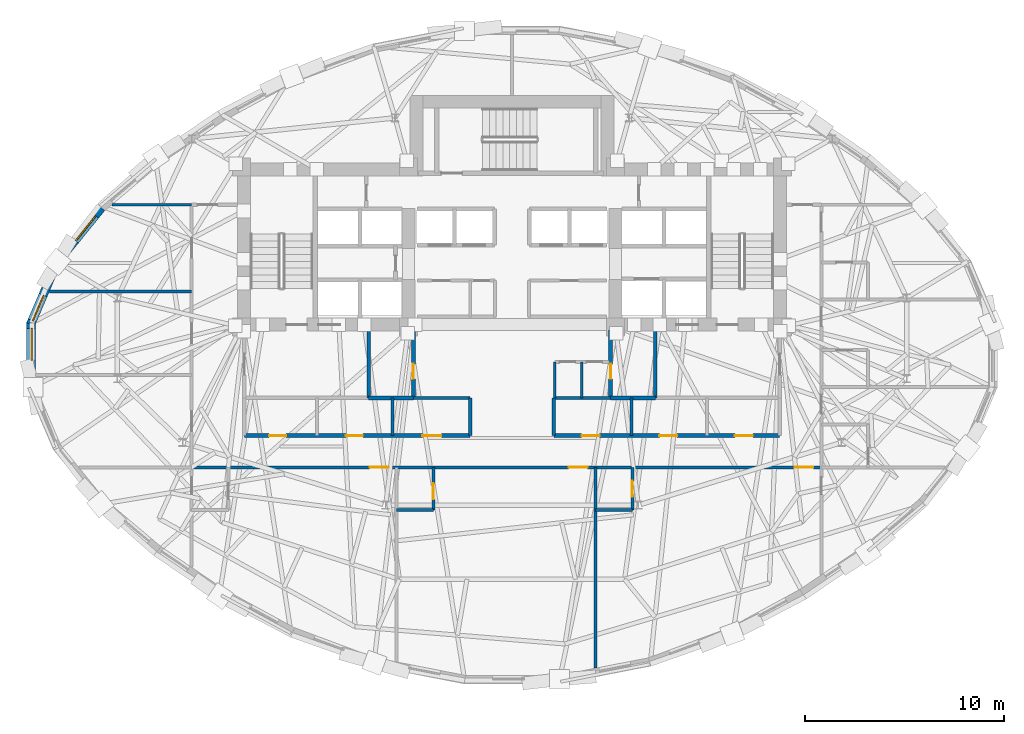
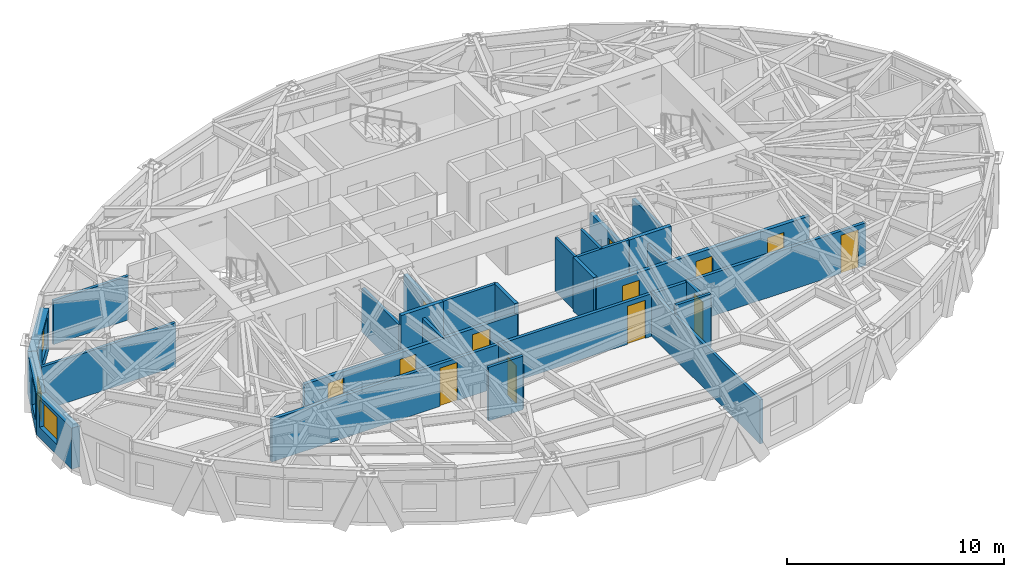
# One storey, part 6 of 14: 27 walls, 13 doors, 3 windows, 16 openings.
"""IFC4 building model written with IfcOpenShell, lengths in metres."""

from ifc_helpers import new_model, si_unit, direction, frame, frame_2d, origin, place, context, subcontext, project, spatial, rectangle, extrude, material, layer, layer_set, type_object, element, fill, save


model = new_model("IFC4")

# Units and contexts
model_context = context("Model", 3, precision=1e-05, world=origin(), true_north=direction((0.0, 1.0)))
body_context = subcontext(model_context, "Body", "Model", "MODEL_VIEW")
ifc_project = project(units=[si_unit("LENGTHUNIT", "METRE"), si_unit("AREAUNIT", "SQUARE_METRE"), si_unit("VOLUMEUNIT", "CUBIC_METRE"), si_unit("PLANEANGLEUNIT", "RADIAN"), si_unit("MASSUNIT", "GRAM", prefix="KILO")], contexts=[model_context])

# Site, building, storey
site_placement = place(None, origin())
site = spatial("IfcSite", under=ifc_project, at=site_placement, CompositionType="ELEMENT")
building_placement = place(site_placement, origin())
building = spatial("IfcBuilding", under=site, at=building_placement, Name="Keldmark Tower", CompositionType="ELEMENT")
storey_placement = place(building_placement, frame((0.0, 0.0, 191.800048828125)))
storey = spatial("IfcBuildingStorey", under=building, at=storey_placement, Name="L53", CompositionType="ELEMENT", Elevation=191.800048828125)

# Wall, openings, doors
ifc_material_1 = material(Name="Heavy Acoustic Plumbing Chase Gypsum Assembly", Category="gypsum")
ifc_layer_1 = layer(ifc_material_1, 0.18994140625)
ifc_layer_set_1 = layer_set([ifc_layer_1], Name="Heavy Acoustic Plumbing Chase Gypsum Assembly")
wall_type_1 = type_object("IfcWallType", Name="Heavy Wet Wall 190 mm", PredefinedType="PLUMBINGWALL", material=ifc_layer_set_1)
wall_1_placement = place(storey_placement, frame((-13.449951171875, -4.050048828125, 0.0), z_axis=(0.0, 0.0, 1.0), x_axis=(1.0, 0.0, 0.0)))
wall_1 = element("IfcWall", 1, at=wall_1_placement, inside=storey, type_object=wall_type_1, Name="L53 Heavy Wet Wall 190 mm SPK-W-S", PredefinedType="PLUMBINGWALL", context=body_context, shape_type="SweptSolid", body=[
    extrude(rectangle(XDim=11.349853515625, YDim=0.18994140625, at=frame_2d((5.6748046875, 0.0))), origin(), (0.0, 0.0, 1.0), 2.472900390625),
])
opening_1_placement = place(wall_1_placement, frame((1.25, 0.0, 0.0)))
opening_1 = element("IfcOpeningElement", 2, at=opening_1_placement, cuts=wall_1, Name="Opening D-WC085", PredefinedType="OPENING", context=body_context, shape_type="SweptSolid", body=[
    extrude(rectangle(XDim=0.85009765625, YDim=2.10009765625, at=frame_2d((0.425048828125, 1.050048828125))), frame((0.0, 0.10498046875, 0.0), z_axis=(0.0, -1.0, 0.0), x_axis=(1.0, 0.0, 0.0)), (0.0, 0.0, 1.0), 0.2099609375),
])
opening_2_placement = place(wall_1_placement, frame((5.10009765625, 0.0, 0.0)))
opening_2 = element("IfcOpeningElement", 3, at=opening_2_placement, cuts=wall_1, Name="Opening D-WC085", PredefinedType="OPENING", context=body_context, shape_type="SweptSolid", body=[
    extrude(rectangle(XDim=0.85009765625, YDim=2.10009765625, at=frame_2d((0.425048828125, 1.050048828125))), frame((0.0, 0.10498046875, 0.0), z_axis=(0.0, -1.0, 0.0), x_axis=(1.0, 0.0, 0.0)), (0.0, 0.0, 1.0), 0.2099609375),
])
opening_3_placement = place(wall_1_placement, frame((8.949951171875, 0.0, 0.0)))
opening_3 = element("IfcOpeningElement", 4, at=opening_3_placement, cuts=wall_1, Name="Opening D-AWC95", PredefinedType="OPENING", context=body_context, shape_type="SweptSolid", body=[
    extrude(rectangle(XDim=0.949951171875, YDim=2.14990234375, at=frame_2d((0.47509765625, 1.074951171875))), frame((0.0, 0.10498046875, 0.0), z_axis=(0.0, -1.0, 0.0), x_axis=(1.0, 0.0, 0.0)), (0.0, 0.0, 1.0), 0.2099609375),
])
ifc_material_2 = material(Name="Painted Solid-Core Architectural Wood", Category="wood")
door_type_1 = type_object("IfcDoorType", Name="Accessible WC Door 950x2150", OperationType="NOTDEFINED", PredefinedType="DOOR", material=ifc_material_2)
door_1_placement = place(opening_3_placement, origin())
door_1 = element("IfcDoor", 5, at=door_1_placement, inside=storey, type_object=door_type_1, Name="L53 Accessible WC Door 950x2150 D-SPKW3-L53", OperationType="SINGLE_SWING_LEFT", OverallHeight=2.14990234375, OverallWidth=0.949951171875, PredefinedType="DOOR", context=body_context, shape_type="SweptSolid", body=[
    extrude(rectangle(XDim=0.949951171875, YDim=2.14990234375, at=frame_2d((0.47509765625, 1.074951171875))), frame((0.0, 0.02490234375, 0.0), z_axis=(0.0, -1.0, 0.0), x_axis=(1.0, 0.0, 0.0)), (0.0, 0.0, 1.0), 0.050048828125),
])
fill(opening_3, door_1)
ifc_material_3 = material(Name="Moisture-Sealed Painted Wood", Category="wood")
door_type_2 = type_object("IfcDoorType", Name="WC Door 850x2100", OperationType="NOTDEFINED", PredefinedType="DOOR", material=ifc_material_3)
door_2_placement = place(opening_1_placement, origin())
door_2 = element("IfcDoor", 6, at=door_2_placement, inside=storey, type_object=door_type_2, Name="L53 WC Door 850x2100 D-SPKW1-L53", OperationType="SINGLE_SWING_LEFT", OverallHeight=2.10009765625, OverallWidth=0.85009765625, PredefinedType="DOOR", context=body_context, shape_type="SweptSolid", body=[
    extrude(rectangle(XDim=0.85009765625, YDim=2.10009765625, at=frame_2d((0.425048828125, 1.050048828125))), frame((0.0, 0.02490234375, 0.0), z_axis=(0.0, -1.0, 0.0), x_axis=(1.0, 0.0, 0.0)), (0.0, 0.0, 1.0), 0.050048828125),
])
fill(opening_1, door_2)
door_3_placement = place(opening_2_placement, origin())
door_3 = element("IfcDoor", 7, at=door_3_placement, inside=storey, type_object=door_type_2, Name="L53 WC Door 850x2100 D-SPKW2-L53", OperationType="SINGLE_SWING_RIGHT", OverallHeight=2.10009765625, OverallWidth=0.85009765625, PredefinedType="DOOR", context=body_context, shape_type="SweptSolid", body=[
    extrude(rectangle(XDim=0.85009765625, YDim=2.10009765625, at=frame_2d((0.425048828125, 1.050048828125))), frame((0.0, 0.02490234375, 0.0), z_axis=(0.0, -1.0, 0.0), x_axis=(1.0, 0.0, 0.0)), (0.0, 0.0, 1.0), 0.050048828125),
])
fill(opening_2, door_3)

# Wall
wall_2_placement = place(storey_placement, frame((-2.10009765625, -4.050048828125, 0.0), z_axis=(0.0, 0.0, 1.0), x_axis=(0.0, 1.0, 0.0)))
element("IfcWall", 8, at=wall_2_placement, inside=storey, type_object=wall_type_1, Name="L53 Heavy Wet Wall 190 mm SPK-W-E", PredefinedType="PLUMBINGWALL", context=body_context, shape_type="SweptSolid", body=[
    extrude(rectangle(XDim=1.900146484375, YDim=0.18994140625, at=frame_2d((0.9501953125, 0.0))), origin(), (0.0, 0.0, 1.0), 3.02001953125),
])

# Wall, openings, doors
wall_3_placement = place(storey_placement, frame((2.10009765625, -4.050048828125, 0.0), z_axis=(0.0, 0.0, 1.0), x_axis=(1.0, 0.0, 0.0)))
wall_3 = element("IfcWall", 9, at=wall_3_placement, inside=storey, type_object=wall_type_1, Name="L53 Heavy Wet Wall 190 mm SPK-E-S", PredefinedType="PLUMBINGWALL", context=body_context, shape_type="SweptSolid", body=[
    extrude(rectangle(XDim=11.349853515625, YDim=0.18994140625, at=frame_2d((5.6748046875, 0.0))), origin(), (0.0, 0.0, 1.0), 2.554931640625),
])
opening_4_placement = place(wall_3_placement, frame((1.39990234375, 0.0, 0.0)))
opening_4 = element("IfcOpeningElement", 10, at=opening_4_placement, cuts=wall_3, Name="Opening D-IN090", PredefinedType="OPENING", context=body_context, shape_type="SweptSolid", body=[
    extrude(rectangle(XDim=0.89990234375, YDim=2.10009765625, at=frame_2d((0.449951171875, 1.050048828125))), frame((0.0, 0.10498046875, 0.0), z_axis=(0.0, -1.0, 0.0), x_axis=(1.0, 0.0, 0.0)), (0.0, 0.0, 1.0), 0.2099609375),
])
opening_5_placement = place(wall_3_placement, frame((5.300048828125, 0.0, 0.0)))
opening_5 = element("IfcOpeningElement", 11, at=opening_5_placement, cuts=wall_3, Name="Opening D-IN090", PredefinedType="OPENING", context=body_context, shape_type="SweptSolid", body=[
    extrude(rectangle(XDim=0.89990234375, YDim=2.10009765625, at=frame_2d((0.449951171875, 1.050048828125))), frame((0.0, 0.10498046875, 0.0), z_axis=(0.0, -1.0, 0.0), x_axis=(1.0, 0.0, 0.0)), (0.0, 0.0, 1.0), 0.2099609375),
])
opening_6_placement = place(wall_3_placement, frame((9.10009765625, 0.0, 0.0)))
opening_6 = element("IfcOpeningElement", 12, at=opening_6_placement, cuts=wall_3, Name="Opening D-IN090", PredefinedType="OPENING", context=body_context, shape_type="SweptSolid", body=[
    extrude(rectangle(XDim=0.89990234375, YDim=2.10009765625, at=frame_2d((0.449951171875, 1.050048828125))), frame((0.0, 0.10498046875, 0.0), z_axis=(0.0, -1.0, 0.0), x_axis=(1.0, 0.0, 0.0)), (0.0, 0.0, 1.0), 0.2099609375),
])
ifc_material_4 = material(Name="Stained American White Oak Veneer", Category="wood")
door_type_3 = type_object("IfcDoorType", Name="Interior Door 900x2100", OperationType="NOTDEFINED", PredefinedType="DOOR", material=ifc_material_4)
door_4_placement = place(opening_4_placement, origin())
door_4 = element("IfcDoor", 13, at=door_4_placement, inside=storey, type_object=door_type_3, Name="L53 Interior Door 900x2100 D-SPKE1-L53", OperationType="SINGLE_SWING_RIGHT", OverallHeight=2.10009765625, OverallWidth=0.89990234375, PredefinedType="DOOR", context=body_context, shape_type="SweptSolid", body=[
    extrude(rectangle(XDim=0.89990234375, YDim=2.10009765625, at=frame_2d((0.449951171875, 1.050048828125))), frame((0.0, 0.02490234375, 0.0), z_axis=(0.0, -1.0, 0.0), x_axis=(1.0, 0.0, 0.0)), (0.0, 0.0, 1.0), 0.050048828125),
])
fill(opening_4, door_4)
door_5_placement = place(opening_5_placement, origin())
door_5 = element("IfcDoor", 14, at=door_5_placement, inside=storey, type_object=door_type_3, Name="L53 Interior Door 900x2100 D-SPKE2-L53", OperationType="SINGLE_SWING_LEFT", OverallHeight=2.10009765625, OverallWidth=0.89990234375, PredefinedType="DOOR", context=body_context, shape_type="SweptSolid", body=[
    extrude(rectangle(XDim=0.89990234375, YDim=2.10009765625, at=frame_2d((0.449951171875, 1.050048828125))), frame((0.0, 0.02490234375, 0.0), z_axis=(0.0, -1.0, 0.0), x_axis=(1.0, 0.0, 0.0)), (0.0, 0.0, 1.0), 0.050048828125),
])
fill(opening_5, door_5)
door_6_placement = place(opening_6_placement, origin())
door_6 = element("IfcDoor", 15, at=door_6_placement, inside=storey, type_object=door_type_3, Name="L53 Interior Door 900x2100 D-SPKE3-L53", OperationType="SINGLE_SWING_RIGHT", OverallHeight=2.10009765625, OverallWidth=0.89990234375, PredefinedType="DOOR", context=body_context, shape_type="SweptSolid", body=[
    extrude(rectangle(XDim=0.89990234375, YDim=2.10009765625, at=frame_2d((0.449951171875, 1.050048828125))), frame((0.0, 0.02490234375, 0.0), z_axis=(0.0, -1.0, 0.0), x_axis=(1.0, 0.0, 0.0)), (0.0, 0.0, 1.0), 0.050048828125),
])
fill(opening_6, door_6)

# Walls
wall_4_placement = place(storey_placement, frame((2.10009765625, -4.050048828125, 0.0), z_axis=(0.0, 0.0, 1.0), x_axis=(0.0, 1.0, 0.0)))
element("IfcWall", 16, at=wall_4_placement, inside=storey, type_object=wall_type_1, Name="L53 Heavy Wet Wall 190 mm SPK-E-W", PredefinedType="PLUMBINGWALL", context=body_context, shape_type="SweptSolid", body=[
    extrude(rectangle(XDim=1.900146484375, YDim=0.18994140625, at=frame_2d((0.9501953125, 0.0))), origin(), (0.0, 0.0, 1.0), 3.02001953125),
])
ifc_material_5 = material(Name="Acoustic Gypsum Board Interior Partition", Category="gypsum")
ifc_layer_2 = layer(ifc_material_5, 0.1298828125)
ifc_layer_set_2 = layer_set([ifc_layer_2], Name="Acoustic Gypsum Board Interior Partition")
wall_type_2 = type_object("IfcWallType", Name="Interior Partition 130 mm", PredefinedType="PARTITIONING", material=ifc_layer_set_2)
for number, where, z_axis, x_axis, name in (
    (17, (2.14990234375, -2.14990234375, 0.0), (0.0, 0.0, 1.0), (0.0, 1.0, 0.0), "L53 Interior Partition 130 mm CSC-E-W"),
    (18, (3.5, -2.14990234375, 0.0), (0.0, 0.0, 1.0), (0.0, 1.0, 0.0), "L53 Interior Partition 130 mm CSC-E-M"),
):
    element("IfcWall", number, at=place(storey_placement, frame(where, z_axis=z_axis, x_axis=x_axis)), inside=storey, type_object=wall_type_2, Name=name, PredefinedType="PARTITIONING", context=body_context, shape_type="SweptSolid", body=[
        extrude(rectangle(XDim=1.7998046875, YDim=0.1298828125, at=frame_2d((0.89990234375, 0.0))), origin(), (0.0, 0.0, 1.0), 3.02001953125),
    ])
ifc_material_6 = material(Name="Type X Fire-Rated Gypsum Partition Assembly", Category="gypsum")
ifc_layer_3 = layer(ifc_material_6, 0.1650390625)
ifc_layer_set_3 = layer_set([ifc_layer_3], Name="Type X Fire-Rated Gypsum Partition Assembly")
wall_type_3 = type_object("IfcWallType", Name="Rated Partition 165 mm", PredefinedType="PARTITIONING", material=ifc_layer_set_3)
for number, where, z_axis, x_axis, name in (
    (19, (-7.199951171875, -2.14990234375, 0.0), (0.0, 0.0, 1.0), (0.0, 1.0, 0.0), "L53 Rated Partition 165 mm FSAE-W-E"),
    (20, (7.199951171875, -2.14990234375, 0.0), (0.0, 0.0, 1.0), (0.0, 1.0, 0.0), "L53 Rated Partition 165 mm FSAE-E-W"),
):
    element("IfcWall", number, at=place(storey_placement, frame(where, z_axis=z_axis, x_axis=x_axis)), inside=storey, type_object=wall_type_3, Name=name, PredefinedType="PARTITIONING", context=body_context, shape_type="SweptSolid", body=[
        extrude(rectangle(XDim=3.39990234375, YDim=0.1650390625, at=frame_2d((1.699951171875, 0.0))), origin(), (0.0, 0.0, 1.0), 2.472900390625),
    ])

# Wall, openings, doors
wall_5_placement = place(storey_placement, frame((-16.10009765625, -5.64990234375, 0.0), z_axis=(0.0, 0.0, 1.0), x_axis=(1.0, 0.0, 0.0)))
wall_5 = element("IfcWall", 21, at=wall_5_placement, inside=storey, type_object=wall_type_3, Name="L53 Rated Partition 165 mm HCOR-S", PredefinedType="PARTITIONING", context=body_context, shape_type="SweptSolid", body=[
    extrude(rectangle(XDim=31.650146484375, YDim=0.1650390625, at=frame_2d((15.8251953125, 0.0))), origin(), (0.0, 0.0, 1.0), 2.39794921875),
])
opening_7_placement = place(wall_5_placement, frame((8.949951171875, 0.0, 0.0)))
opening_7 = element("IfcOpeningElement", 22, at=opening_7_placement, cuts=wall_5, Name="Opening D-HT095", PredefinedType="OPENING", context=body_context, shape_type="SweptSolid", body=[
    extrude(rectangle(XDim=0.949951171875, YDim=2.14990234375, at=frame_2d((0.47509765625, 1.074951171875))), frame((0.0, 0.092529296875, 0.0), z_axis=(0.0, -1.0, 0.0), x_axis=(1.0, 0.0, 0.0)), (0.0, 0.0, 1.0), 0.18505859375),
])
opening_8_placement = place(wall_5_placement, frame((18.949951171875, 0.0, 0.0)))
opening_8 = element("IfcOpeningElement", 23, at=opening_8_placement, cuts=wall_5, Name="Opening D-HT095", PredefinedType="OPENING", context=body_context, shape_type="SweptSolid", body=[
    extrude(rectangle(XDim=0.949951171875, YDim=2.14990234375, at=frame_2d((0.47509765625, 1.074951171875))), frame((0.0, 0.092529296875, 0.0), z_axis=(0.0, -1.0, 0.0), x_axis=(1.0, 0.0, 0.0)), (0.0, 0.0, 1.0), 0.18505859375),
])
opening_9_placement = place(wall_5_placement, frame((30.300048828125, 0.0, 0.0)))
opening_9 = element("IfcOpeningElement", 24, at=opening_9_placement, cuts=wall_5, Name="Opening D-HT095", PredefinedType="OPENING", context=body_context, shape_type="SweptSolid", body=[
    extrude(rectangle(XDim=0.949951171875, YDim=2.14990234375, at=frame_2d((0.47509765625, 1.074951171875))), frame((0.0, 0.092529296875, 0.0), z_axis=(0.0, -1.0, 0.0), x_axis=(1.0, 0.0, 0.0)), (0.0, 0.0, 1.0), 0.18505859375),
])
ifc_material_7 = material(Name="Solid-Core Acoustic White Oak Fire-Rated Assembly", Category="wood")
door_type_4 = type_object("IfcDoorType", Name="Hotel Entry Door 950x2150", OperationType="NOTDEFINED", PredefinedType="DOOR", material=ifc_material_7)
door_7_placement = place(opening_7_placement, origin())
door_7 = element("IfcDoor", 25, at=door_7_placement, inside=storey, type_object=door_type_4, Name="L53 Hotel Entry Door 950x2150 D-HRS1-L53", OperationType="SINGLE_SWING_RIGHT", OverallHeight=2.14990234375, OverallWidth=0.949951171875, PredefinedType="DOOR", context=body_context, shape_type="SweptSolid", body=[
    extrude(rectangle(XDim=0.949951171875, YDim=2.14990234375, at=frame_2d((0.47509765625, 1.074951171875))), frame((0.0, 0.02490234375, 0.0), z_axis=(0.0, -1.0, 0.0), x_axis=(1.0, 0.0, 0.0)), (0.0, 0.0, 1.0), 0.050048828125),
])
fill(opening_7, door_7)
door_8_placement = place(opening_8_placement, origin())
door_8 = element("IfcDoor", 26, at=door_8_placement, inside=storey, type_object=door_type_4, Name="L53 Hotel Entry Door 950x2150 D-HRS2-L53", OperationType="SINGLE_SWING_LEFT", OverallHeight=2.14990234375, OverallWidth=0.949951171875, PredefinedType="DOOR", context=body_context, shape_type="SweptSolid", body=[
    extrude(rectangle(XDim=0.949951171875, YDim=2.14990234375, at=frame_2d((0.47509765625, 1.074951171875))), frame((0.0, 0.02490234375, 0.0), z_axis=(0.0, -1.0, 0.0), x_axis=(1.0, 0.0, 0.0)), (0.0, 0.0, 1.0), 0.050048828125),
])
fill(opening_8, door_8)
door_9_placement = place(opening_9_placement, origin())
door_9 = element("IfcDoor", 27, at=door_9_placement, inside=storey, type_object=door_type_4, Name="L53 Hotel Entry Door 950x2150 D-HRS3-L53", OperationType="SINGLE_SWING_RIGHT", OverallHeight=2.14990234375, OverallWidth=0.949951171875, PredefinedType="DOOR", context=body_context, shape_type="SweptSolid", body=[
    extrude(rectangle(XDim=0.949951171875, YDim=2.14990234375, at=frame_2d((0.47509765625, 1.074951171875))), frame((0.0, 0.02490234375, 0.0), z_axis=(0.0, -1.0, 0.0), x_axis=(1.0, 0.0, 0.0)), (0.0, 0.0, 1.0), 0.050048828125),
])
fill(opening_9, door_9)

# Wall
ifc_material_8 = material(Name="Fire-Resistant Type X Gypsum Shaftliner Coreboard", Category="gypsum")
ifc_layer_4 = layer(ifc_material_8, 0.199951171875)
ifc_layer_set_4 = layer_set([ifc_layer_4], Name="Fire-Resistant Type X Gypsum Shaftliner Coreboard")
wall_type_4 = type_object("IfcWallType", Name="Shaft Wall 200 mm", PredefinedType="SOLIDWALL", material=ifc_layer_set_4)
wall_6_placement = place(storey_placement, frame((-7.199951171875, -2.14990234375, 0.0), z_axis=(0.0, 0.0, 1.0), x_axis=(1.0, 0.0, 0.0)))
element("IfcWall", 28, at=wall_6_placement, inside=storey, type_object=wall_type_4, Name="L53 Shaft Wall 200 mm RIS-SW-S", PredefinedType="SOLIDWALL", context=body_context, shape_type="SweptSolid", body=[
    extrude(rectangle(XDim=2.25, YDim=0.199951171875, at=frame_2d((1.125, 0.0))), origin(), (0.0, 0.0, 1.0), 3.02001953125),
])

# Wall, opening, door
wall_7_placement = place(storey_placement, frame((-4.949951171875, -2.14990234375, 0.0), z_axis=(0.0, 0.0, 1.0), x_axis=(0.0, 1.0, 0.0)))
wall_7 = element("IfcWall", 29, at=wall_7_placement, inside=storey, type_object=wall_type_4, Name="L53 Shaft Wall 200 mm RIS-SW-E", PredefinedType="SOLIDWALL", context=body_context, shape_type="SweptSolid", body=[
    extrude(rectangle(XDim=3.39990234375, YDim=0.199951171875, at=frame_2d((1.699951171875, 0.0))), origin(), (0.0, 0.0, 1.0), 2.472900390625),
])
opening_10_placement = place(wall_7_placement, frame((0.949951171875, 0.0, 0.0)))
opening_10 = element("IfcOpeningElement", 30, at=opening_10_placement, cuts=wall_7, Name="Opening D-RS075", PredefinedType="OPENING", context=body_context, shape_type="SweptSolid", body=[
    extrude(rectangle(XDim=0.75, YDim=2.10009765625, at=frame_2d((0.375, 1.050048828125))), frame((0.0, 0.10986328125, 0.0), z_axis=(0.0, -1.0, 0.0), x_axis=(1.0, 0.0, 0.0)), (0.0, 0.0, 1.0), 0.219970703125),
])
ifc_material_9 = material(Name="Galvanized Fire-Rated Access Leaf", Category="metal")
door_type_5 = type_object("IfcDoorType", Name="Riser Access Door 750x2100", OperationType="NOTDEFINED", PredefinedType="DOOR", material=ifc_material_9)
door_10_placement = place(opening_10_placement, origin())
door_10 = element("IfcDoor", 31, at=door_10_placement, inside=storey, type_object=door_type_5, Name="L53 Riser Access Door 750x2100 D-RISSW-L53", OperationType="SINGLE_SWING_RIGHT", OverallHeight=2.10009765625, OverallWidth=0.75, PredefinedType="DOOR", context=body_context, shape_type="SweptSolid", body=[
    extrude(rectangle(XDim=0.75, YDim=2.10009765625, at=frame_2d((0.375, 1.050048828125))), frame((0.0, 0.02490234375, 0.0), z_axis=(0.0, -1.0, 0.0), x_axis=(1.0, 0.0, 0.0)), (0.0, 0.0, 1.0), 0.050048828125),
])
fill(opening_10, door_10)

# Wall
wall_8_placement = place(storey_placement, frame((4.949951171875, -2.14990234375, 0.0), z_axis=(0.0, 0.0, 1.0), x_axis=(1.0, 0.0, 0.0)))
element("IfcWall", 32, at=wall_8_placement, inside=storey, type_object=wall_type_4, Name="L53 Shaft Wall 200 mm RIS-SE-S", PredefinedType="SOLIDWALL", context=body_context, shape_type="SweptSolid", body=[
    extrude(rectangle(XDim=2.25, YDim=0.199951171875, at=frame_2d((1.125, 0.0))), origin(), (0.0, 0.0, 1.0), 3.02001953125),
])

# Wall, opening, door
wall_9_placement = place(storey_placement, frame((4.949951171875, -2.14990234375, 0.0), z_axis=(0.0, 0.0, 1.0), x_axis=(0.0, 1.0, 0.0)))
wall_9 = element("IfcWall", 33, at=wall_9_placement, inside=storey, type_object=wall_type_4, Name="L53 Shaft Wall 200 mm RIS-SE-W", PredefinedType="SOLIDWALL", context=body_context, shape_type="SweptSolid", body=[
    extrude(rectangle(XDim=3.39990234375, YDim=0.199951171875, at=frame_2d((1.699951171875, 0.0))), origin(), (0.0, 0.0, 1.0), 2.472900390625),
])
opening_11_placement = place(wall_9_placement, frame((0.949951171875, 0.0, 0.0)))
opening_11 = element("IfcOpeningElement", 34, at=opening_11_placement, cuts=wall_9, Name="Opening D-RS075", PredefinedType="OPENING", context=body_context, shape_type="SweptSolid", body=[
    extrude(rectangle(XDim=0.75, YDim=2.10009765625, at=frame_2d((0.375, 1.050048828125))), frame((0.0, 0.10986328125, 0.0), z_axis=(0.0, -1.0, 0.0), x_axis=(1.0, 0.0, 0.0)), (0.0, 0.0, 1.0), 0.219970703125),
])
door_11_placement = place(opening_11_placement, origin())
door_11 = element("IfcDoor", 35, at=door_11_placement, inside=storey, type_object=door_type_5, Name="L53 Riser Access Door 750x2100 D-RISSE-L53", OperationType="SINGLE_SWING_LEFT", OverallHeight=2.10009765625, OverallWidth=0.75, PredefinedType="DOOR", context=body_context, shape_type="SweptSolid", body=[
    extrude(rectangle(XDim=0.75, YDim=2.10009765625, at=frame_2d((0.375, 1.050048828125))), frame((0.0, 0.02490234375, 0.0), z_axis=(0.0, -1.0, 0.0), x_axis=(1.0, 0.0, 0.0)), (0.0, 0.0, 1.0), 0.050048828125),
])
fill(opening_11, door_11)

# Wall, opening, window
ifc_material_10 = material(Name="Ironspot Manganese Brick and Kasota Buff Limestone Spandrel Assembly", Category="masonry")
ifc_layer_5 = layer(ifc_material_10, 0.43994140625)
ifc_layer_set_5 = layer_set([ifc_layer_5], Name="Ironspot Manganese Brick and Kasota Buff Limestone Spandrel Assembly")
wall_type_5 = type_object("IfcWallType", Name="Tower Brick Pier and Spandrel Wall 440 mm", PredefinedType="STANDARD", material=ifc_layer_set_5)
wall_10_placement = place(storey_placement, frame((-22.897216796875, 4.60546875, 0.0), z_axis=(0.0, 0.0, 1.0), x_axis=(0.629697919329, 0.776840093193, 0.0)))
wall_10 = element("IfcWall", 36, at=wall_10_placement, inside=storey, type_object=wall_type_5, Name="L53 Exterior Brick and Spandrel Wall 14", PredefinedType="STANDARD", context=body_context, shape_type="SweptSolid", body=[
    extrude(rectangle(XDim=3.59716796875, YDim=0.43994140625, at=frame_2d((1.798583984375, 0.0))), origin(), (0.0, 0.0, 1.0), 2.31494140625),
])
opening_12_placement = place(wall_10_placement, frame((1.497802734375, 0.0, 0.580078125)))
opening_12 = element("IfcOpeningElement", 37, at=opening_12_placement, cuts=wall_10, Name="Opening W-04", PredefinedType="OPENING", context=body_context, shape_type="SweptSolid", body=[
    extrude(rectangle(XDim=1.60009765625, YDim=1.550048828125, at=frame_2d((0.800048828125, 0.77490234375))), frame((0.0, 0.22998046875, 0.0), z_axis=(0.0, -1.0, 0.0), x_axis=(1.0, 0.0, 0.0)), (0.0, 0.0, 1.0), 0.4599609375),
])
ifc_material_11 = material(Name="Thermally Broken Anodized Aluminum and Triple Low-E Argon Glazing", Category="aluminium")
window_type_1 = type_object("IfcWindowType", Name="Hotel Deep-Set Operable Window 1600x1550", PartitioningType="DOUBLE_PANEL_HORIZONTAL", PredefinedType="WINDOW", material=ifc_material_11)
window_1_placement = place(opening_12_placement, origin())
window_1 = element("IfcWindow", 38, at=window_1_placement, inside=storey, type_object=window_type_1, Name="L53 Deep-Set Window 14", OverallHeight=1.550048828125, OverallWidth=1.60009765625, PartitioningType="SINGLE_PANEL", PredefinedType="WINDOW", context=body_context, shape_type="SweptSolid", body=[
    extrude(rectangle(XDim=1.60009765625, YDim=1.550048828125, at=frame_2d((0.800048828125, 0.77490234375))), frame((0.0, -0.010009765625, 0.0), z_axis=(0.0, -1.0, 0.0), x_axis=(1.0, 0.0, 0.0)), (0.0, 0.0, 1.0), 0.06005859375),
])
fill(opening_12, window_1)

wall_11_placement = place(storey_placement, frame((-24.191162109375, 1.542724609375, 0.0), z_axis=(0.0, 0.0, 1.0), x_axis=(0.391568154721, 0.920149107595, 0.0)))
wall_11 = element("IfcWall", 39, at=wall_11_placement, inside=storey, type_object=wall_type_5, Name="L53 Exterior Brick and Spandrel Wall 15", PredefinedType="STANDARD", context=body_context, shape_type="SweptSolid", body=[
    extrude(rectangle(XDim=3.385498046875, YDim=0.43994140625, at=frame_2d((1.69287109375, 0.0))), origin(), (0.0, 0.0, 1.0), 2.31494140625),
])
opening_13_placement = place(wall_11_placement, frame((0.199951171875, 0.0, 0.580078125)))
opening_13 = element("IfcOpeningElement", 40, at=opening_13_placement, cuts=wall_11, Name="Opening W-08", PredefinedType="OPENING", context=body_context, shape_type="SweptSolid", body=[
    extrude(rectangle(XDim=1.39990234375, YDim=1.550048828125, at=frame_2d((0.699951171875, 0.77490234375))), frame((0.0, 0.22998046875, 0.0), z_axis=(0.0, -1.0, 0.0), x_axis=(1.0, 0.0, 0.0)), (0.0, 0.0, 1.0), 0.4599609375),
])
ifc_material_12 = material(Name="Thermally Broken Anodized Aluminum and Triple Low-E Argon Glazing", Category="aluminium")
window_type_2 = type_object("IfcWindowType", Name="Residential Corner Punched Window 1400x1550", PartitioningType="SINGLE_PANEL", PredefinedType="WINDOW", material=ifc_material_12)
window_2_placement = place(opening_13_placement, origin())
window_2 = element("IfcWindow", 41, at=window_2_placement, inside=storey, type_object=window_type_2, Name="L53 Deep-Set Window 15", OverallHeight=1.550048828125, OverallWidth=1.39990234375, PartitioningType="SINGLE_PANEL", PredefinedType="WINDOW", context=body_context, shape_type="SweptSolid", body=[
    extrude(rectangle(XDim=1.39990234375, YDim=1.550048828125, at=frame_2d((0.699951171875, 0.77490234375))), frame((0.0, -0.010009765625, 0.0), z_axis=(0.0, -1.0, 0.0), x_axis=(1.0, 0.0, 0.0)), (0.0, 0.0, 1.0), 0.06005859375),
])
fill(opening_13, window_2)

wall_12_placement = place(storey_placement, frame((-24.173583984375, -1.62890625, 0.0), z_axis=(0.0, 0.0, 1.0), x_axis=(0.0, 1.0, 0.0)))
wall_12 = element("IfcWall", 42, at=wall_12_placement, inside=storey, type_object=wall_type_5, Name="L53 Exterior Brick and Spandrel Wall 16", PredefinedType="STANDARD", context=body_context, shape_type="SweptSolid", body=[
    extrude(rectangle(XDim=3.2578125, YDim=0.43994140625, at=frame_2d((1.62890625, 0.0))), origin(), (0.0, 0.0, 1.0), 2.31494140625),
])
opening_14_placement = place(wall_12_placement, frame((1.36083984375, 0.0, 0.580078125)))
opening_14 = element("IfcOpeningElement", 43, at=opening_14_placement, cuts=wall_12, Name="Opening W-04", PredefinedType="OPENING", context=body_context, shape_type="SweptSolid", body=[
    extrude(rectangle(XDim=1.60009765625, YDim=1.550048828125, at=frame_2d((0.800048828125, 0.77490234375))), frame((0.0, 0.22998046875, 0.0), z_axis=(0.0, -1.0, 0.0), x_axis=(1.0, 0.0, 0.0)), (0.0, 0.0, 1.0), 0.4599609375),
])
window_3_placement = place(opening_14_placement, origin())
window_3 = element("IfcWindow", 44, at=window_3_placement, inside=storey, type_object=window_type_1, Name="L53 Deep-Set Window 16", OverallHeight=1.550048828125, OverallWidth=1.60009765625, PartitioningType="SINGLE_PANEL", PredefinedType="WINDOW", context=body_context, shape_type="SweptSolid", body=[
    extrude(rectangle(XDim=1.60009765625, YDim=1.550048828125, at=frame_2d((0.800048828125, 0.77490234375))), frame((0.0, -0.010009765625, 0.0), z_axis=(0.0, -1.0, 0.0), x_axis=(1.0, 0.0, 0.0)), (0.0, 0.0, 1.0), 0.06005859375),
])
fill(opening_14, window_3)

# Walls
ifc_material_13 = material(Name="Moisture-Resistant Gypsum Plumbing Partition", Category="gypsum")
ifc_layer_6 = layer(ifc_material_13, 0.14990234375)
ifc_layer_set_6 = layer_set([ifc_layer_6], Name="Moisture-Resistant Gypsum Plumbing Partition")
wall_type_6 = type_object("IfcWallType", Name="Wet Wall 150 mm", PredefinedType="PLUMBINGWALL", material=ifc_layer_set_6)
wall_13_placement = place(storey_placement, frame((-4.949951171875, -2.14990234375, 0.0), z_axis=(0.0, 0.0, 1.0), x_axis=(1.0, 0.0, 0.0)))
element("IfcWall", 45, at=wall_13_placement, inside=storey, type_object=wall_type_6, Name="L53 Wet Wall 150 mm SPK-W-N", PredefinedType="PLUMBINGWALL", context=body_context, shape_type="SweptSolid", body=[
    extrude(rectangle(XDim=2.849853515625, YDim=0.14990234375, at=frame_2d((1.4248046875, 0.0))), origin(), (0.0, 0.0, 1.0), 3.02001953125),
])
wall_14_placement = place(storey_placement, frame((-6.0, -4.050048828125, 0.0), z_axis=(0.0, 0.0, 1.0), x_axis=(0.0, 1.0, 0.0)))
element("IfcWall", 46, at=wall_14_placement, inside=storey, type_object=wall_type_6, Name="L53 Wet Wall 150 mm SPK-W-D2", PredefinedType="PLUMBINGWALL", context=body_context, shape_type="SweptSolid", body=[
    extrude(rectangle(XDim=1.900146484375, YDim=0.14990234375, at=frame_2d((0.9501953125, 0.0))), origin(), (0.0, 0.0, 1.0), 2.472900390625),
])
wall_15_placement = place(storey_placement, frame((2.10009765625, -2.14990234375, 0.0), z_axis=(0.0, 0.0, 1.0), x_axis=(1.0, 0.0, 0.0)))
element("IfcWall", 47, at=wall_15_placement, inside=storey, type_object=wall_type_6, Name="L53 Wet Wall 150 mm SPK-E-N", PredefinedType="PLUMBINGWALL", context=body_context, shape_type="SweptSolid", body=[
    extrude(rectangle(XDim=2.849853515625, YDim=0.14990234375, at=frame_2d((1.4248046875, 0.0))), origin(), (0.0, 0.0, 1.0), 3.02001953125),
])
wall_16_placement = place(storey_placement, frame((6.0, -4.050048828125, 0.0), z_axis=(0.0, 0.0, 1.0), x_axis=(0.0, 1.0, 0.0)))
element("IfcWall", 48, at=wall_16_placement, inside=storey, type_object=wall_type_6, Name="L53 Wet Wall 150 mm SPK-E-D1", PredefinedType="PLUMBINGWALL", context=body_context, shape_type="SweptSolid", body=[
    extrude(rectangle(XDim=1.900146484375, YDim=0.14990234375, at=frame_2d((0.9501953125, 0.0))), origin(), (0.0, 0.0, 1.0), 2.472900390625),
])
wall_17_placement = place(storey_placement, frame((-20.094482421875, 7.550048828125, 0.0), z_axis=(0.0, 0.0, 1.0), x_axis=(1.0, 0.0, 0.0)))
element("IfcWall", 49, at=wall_17_placement, inside=storey, type_object=wall_type_6, Name="L53 Wet Wall 150 mm HW-CAP-N", PredefinedType="PLUMBINGWALL", context=body_context, shape_type="SweptSolid", body=[
    extrude(rectangle(XDim=3.994384765625, YDim=0.14990234375, at=frame_2d((1.9970703125, 0.0))), origin(), (0.0, 0.0, 1.0), 2.472900390625),
])
wall_18_placement = place(storey_placement, frame((4.199951171875, -15.7294921875, 0.0), z_axis=(0.0, 0.0, 1.0), x_axis=(0.0, 1.0, 0.0)))
element("IfcWall", 50, at=wall_18_placement, inside=storey, type_object=wall_type_6, Name="L53 Wet Wall 150 mm HS-DIV-2", PredefinedType="PLUMBINGWALL", context=body_context, shape_type="SweptSolid", body=[
    extrude(rectangle(XDim=10.07958984375, YDim=0.14990234375, at=frame_2d((5.039794921875, 0.0))), origin(), (0.0, 0.0, 1.0), 2.472900390625),
])

# Wall, opening, door
wall_19_placement = place(storey_placement, frame((-3.949951171875, -7.800048828125, 0.0), z_axis=(0.0, 0.0, 1.0), x_axis=(0.0, 1.0, 0.0)))
wall_19 = element("IfcWall", 51, at=wall_19_placement, inside=storey, type_object=wall_type_6, Name="L53 Wet Wall 150 mm HB-S2-E", PredefinedType="PLUMBINGWALL", context=body_context, shape_type="SweptSolid", body=[
    extrude(rectangle(XDim=2.150146484375, YDim=0.14990234375, at=frame_2d((1.0751953125, 0.0))), origin(), (0.0, 0.0, 1.0), 2.472900390625),
])
opening_15_placement = place(wall_19_placement, frame((0.550048828125, 0.0, 0.0)))
opening_15 = element("IfcOpeningElement", 52, at=opening_15_placement, cuts=wall_19, Name="Opening D-BT080", PredefinedType="OPENING", context=body_context, shape_type="SweptSolid", body=[
    extrude(rectangle(XDim=0.800048828125, YDim=2.10009765625, at=frame_2d((0.39990234375, 1.050048828125))), frame((0.0, 0.0849609375, 0.0), z_axis=(0.0, -1.0, 0.0), x_axis=(1.0, 0.0, 0.0)), (0.0, 0.0, 1.0), 0.169921875),
])
ifc_material_14 = material(Name="Moisture-Sealed Stained Wood", Category="wood")
door_type_6 = type_object("IfcDoorType", Name="Bathroom Door 800x2100", OperationType="NOTDEFINED", PredefinedType="DOOR", material=ifc_material_14)
door_12_placement = place(opening_15_placement, origin())
door_12 = element("IfcDoor", 53, at=door_12_placement, inside=storey, type_object=door_type_6, Name="L53 Bathroom Door 800x2100 D-HBS2-L53", OperationType="SINGLE_SWING_RIGHT", OverallHeight=2.10009765625, OverallWidth=0.800048828125, PredefinedType="DOOR", context=body_context, shape_type="SweptSolid", body=[
    extrude(rectangle(XDim=0.800048828125, YDim=2.10009765625, at=frame_2d((0.39990234375, 1.050048828125))), frame((0.0, 0.02490234375, 0.0), z_axis=(0.0, -1.0, 0.0), x_axis=(1.0, 0.0, 0.0)), (0.0, 0.0, 1.0), 0.050048828125),
])
fill(opening_15, door_12)

# Wall
wall_20_placement = place(storey_placement, frame((-5.800048828125, -7.800048828125, 0.0), z_axis=(0.0, 0.0, 1.0), x_axis=(1.0, 0.0, 0.0)))
element("IfcWall", 54, at=wall_20_placement, inside=storey, type_object=wall_type_6, Name="L53 Wet Wall 150 mm HB-S2-S", PredefinedType="PLUMBINGWALL", context=body_context, shape_type="SweptSolid", body=[
    extrude(rectangle(XDim=1.85009765625, YDim=0.14990234375, at=frame_2d((0.925048828125, 0.0))), origin(), (0.0, 0.0, 1.0), 3.02001953125),
])

# Wall, opening, door
wall_21_placement = place(storey_placement, frame((6.050048828125, -7.800048828125, 0.0), z_axis=(0.0, 0.0, 1.0), x_axis=(0.0, 1.0, 0.0)))
wall_21 = element("IfcWall", 55, at=wall_21_placement, inside=storey, type_object=wall_type_6, Name="L53 Wet Wall 150 mm HB-S3-E", PredefinedType="PLUMBINGWALL", context=body_context, shape_type="SweptSolid", body=[
    extrude(rectangle(XDim=2.150146484375, YDim=0.14990234375, at=frame_2d((1.0751953125, 0.0))), origin(), (0.0, 0.0, 1.0), 2.472900390625),
])
opening_16_placement = place(wall_21_placement, frame((0.669921875, 0.0, 0.0)))
opening_16 = element("IfcOpeningElement", 56, at=opening_16_placement, cuts=wall_21, Name="Opening D-BT080", PredefinedType="OPENING", context=body_context, shape_type="SweptSolid", body=[
    extrude(rectangle(XDim=0.800048828125, YDim=2.10009765625, at=frame_2d((0.39990234375, 1.050048828125))), frame((0.0, 0.0849609375, 0.0), z_axis=(0.0, -1.0, 0.0), x_axis=(1.0, 0.0, 0.0)), (0.0, 0.0, 1.0), 0.169921875),
])
door_13_placement = place(opening_16_placement, origin())
door_13 = element("IfcDoor", 57, at=door_13_placement, inside=storey, type_object=door_type_6, Name="L53 Bathroom Door 800x2100 D-HBS3-L53", OperationType="SINGLE_SWING_RIGHT", OverallHeight=2.10009765625, OverallWidth=0.800048828125, PredefinedType="DOOR", context=body_context, shape_type="SweptSolid", body=[
    extrude(rectangle(XDim=0.800048828125, YDim=2.10009765625, at=frame_2d((0.39990234375, 1.050048828125))), frame((0.0, 0.02490234375, 0.0), z_axis=(0.0, -1.0, 0.0), x_axis=(1.0, 0.0, 0.0)), (0.0, 0.0, 1.0), 0.050048828125),
])
fill(opening_16, door_13)

# Walls
wall_22_placement = place(storey_placement, frame((4.199951171875, -7.800048828125, 0.0), z_axis=(0.0, 0.0, 1.0), x_axis=(1.0, 0.0, 0.0)))
element("IfcWall", 58, at=wall_22_placement, inside=storey, type_object=wall_type_6, Name="L53 Wet Wall 150 mm HB-S3-S", PredefinedType="PLUMBINGWALL", context=body_context, shape_type="SweptSolid", body=[
    extrude(rectangle(XDim=1.85009765625, YDim=0.14990234375, at=frame_2d((0.925048828125, 0.0))), origin(), (0.0, 0.0, 1.0), 3.02001953125),
])
wall_23_placement = place(storey_placement, frame((-23.23828125, 3.199951171875, 0.0), z_axis=(0.0, 0.0, 1.0), x_axis=(1.0, 0.0, 0.0)))
element("IfcWall", 59, at=wall_23_placement, inside=storey, type_object=wall_type_6, Name="L53 Wet Wall 150 mm HW-DIV-2", PredefinedType="PLUMBINGWALL", context=body_context, shape_type="SweptSolid", body=[
    extrude(rectangle(XDim=7.13818359375, YDim=0.14990234375, at=frame_2d((3.569091796875, 0.0))), origin(), (0.0, 0.0, 1.0), 2.472900390625),
])

save(model, "model.ifc")
